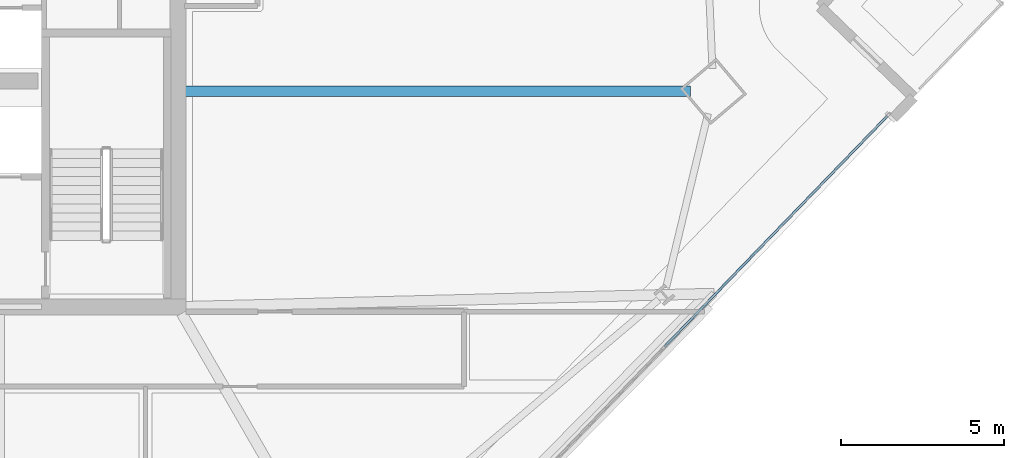
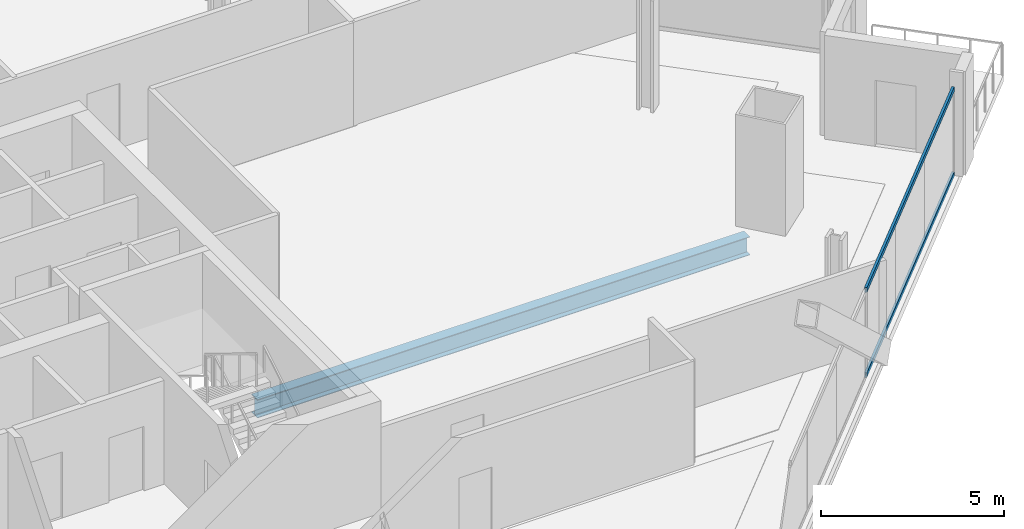
# One storey, part 12 of 33: 2 members, 1 beam, 1 element without a shape of its own.
"""IFC4 building model written with IfcOpenShell, lengths in metres."""

from ifc_helpers import new_model, si_unit, direction, frame, origin, origin_2d, place, context, subcontext, project, spatial, hollow_rectangle, i_section, extrude, material, material_profile, profile_set, type_object, element, aggregate, save


model = new_model("IFC4")

# Units and contexts
model_context = context("Model", 3, precision=1e-05, world=origin(), true_north=direction((0.0, 1.0)))
body_context = subcontext(model_context, "Body", "Model", "MODEL_VIEW")
ifc_project = project(units=[si_unit("LENGTHUNIT", "METRE"), si_unit("AREAUNIT", "SQUARE_METRE"), si_unit("VOLUMEUNIT", "CUBIC_METRE"), si_unit("PLANEANGLEUNIT", "RADIAN"), si_unit("MASSUNIT", "GRAM", prefix="KILO")], contexts=[model_context])

# Site, building, storey
site_placement = place(None, origin())
site = spatial("IfcSite", under=ifc_project, at=site_placement, CompositionType="ELEMENT")
building_placement = place(site_placement, origin())
building = spatial("IfcBuilding", under=site, at=building_placement, Name="Haldenkirk Collegiate Tower", CompositionType="ELEMENT")
storey_placement = place(building_placement, frame((0.0, 0.0, 181.949951171875)))
storey = spatial("IfcBuildingStorey", under=building, at=storey_placement, Name="L45", CompositionType="ELEMENT", Elevation=181.949951171875)

# Beam
ifc_material_1 = material(Name="Steel ASTM A992 Grade 50", Category="steel")
ifc_material_profile_1 = material_profile(ifc_material_1, i_section(OverallWidth=0.324951171875, OverallDepth=0.615966796875, WebThickness=0.013916015625, FlangeThickness=0.021484375, at=origin_2d()), Name="W24X117")
ifc_profile_set_1 = profile_set([ifc_material_profile_1], Name="Steel ASTM A992 Grade 50")
beam_type = type_object("IfcBeamType", Name="BM-GIRDER-W24X117", PredefinedType="BEAM", material=ifc_profile_set_1)
beam_placement = place(storey_placement, frame((60.760009765625, 24.62890625, -0.597900390625), z_axis=(-1.0, 0.0, 0.0), x_axis=(0.0, -1.0, 0.0)))
element("IfcBeam", 1, at=beam_placement, inside=storey, type_object=beam_type, Name="L45 primary floor girder 02", PredefinedType="BEAM", context=body_context, shape_type="SweptSolid", body=[
    extrude(i_section(OverallWidth=0.324951171875, OverallDepth=0.615966796875, WebThickness=0.013916015625, FlangeThickness=0.021484375, at=origin_2d()), origin(), (0.0, 0.0, 1.0), 15.530029296875),
])

# Curtain wall, members
ifc_material_2 = material(Name="Anodised architectural bronze aluminium", Category="aluminium")
curtain_wall_type = type_object("IfcCurtainWallType", Name="CW-SYS2-CONCAVE", PredefinedType="USERDEFINED", material=ifc_material_2)
curtain_wall_placement = place(storey_placement, origin())
curtain_wall = element("IfcCurtainWall", 2, at=curtain_wall_placement, inside=storey, type_object=curtain_wall_type, Name="L45 South concave recessed bronze-anodised curtain wall", ObjectType="UNITISED CURTAIN WALL", PredefinedType="USERDEFINED")
ifc_material_profile_2 = material_profile(ifc_material_2, hollow_rectangle(XDim=0.074951171875, YDim=0.159912109375, WallThickness=0.0048828125, at=origin_2d()), Name="CW-TRN-02")
ifc_profile_set_2 = profile_set([ifc_material_profile_2], Name="Anodised architectural bronze aluminium")
member_type = type_object("IfcMemberType", Name="CW-TRN-02", PredefinedType="USERDEFINED", material=ifc_profile_set_2)
member_1_placement = place(storey_placement, frame((66.815185546875, 23.87158203125, 0.03759765625), z_axis=(-0.694659009545, -0.719339183179, 0.0), x_axis=(0.719339183179, -0.694659009545, 0.0)))
member_1 = element("IfcMember", 3, at=member_1_placement, type_object=member_type, Name="CW-02 transom 1.1", ObjectType="TRANSOM", PredefinedType="USERDEFINED", context=body_context, shape_type="SweptSolid", body=[
    extrude(hollow_rectangle(XDim=0.074951171875, YDim=0.159912109375, WallThickness=0.0048828125, at=origin_2d()), origin(), (0.0, 0.0, 1.0), 9.862548828125),
])
member_2_placement = place(storey_placement, frame((66.815185546875, 23.87158203125, 2.87353515625), z_axis=(-0.694659009545, -0.719339183179, 0.0), x_axis=(0.719339183179, -0.694659009545, 0.0)))
member_2 = element("IfcMember", 4, at=member_2_placement, type_object=member_type, Name="CW-02 transom 1.2", ObjectType="TRANSOM", PredefinedType="USERDEFINED", context=body_context, shape_type="SweptSolid", body=[
    extrude(hollow_rectangle(XDim=0.074951171875, YDim=0.159912109375, WallThickness=0.0048828125, at=origin_2d()), origin(), (0.0, 0.0, 1.0), 9.862548828125),
])
aggregate(curtain_wall, [member_1, member_2])

save(model, "model.ifc")
